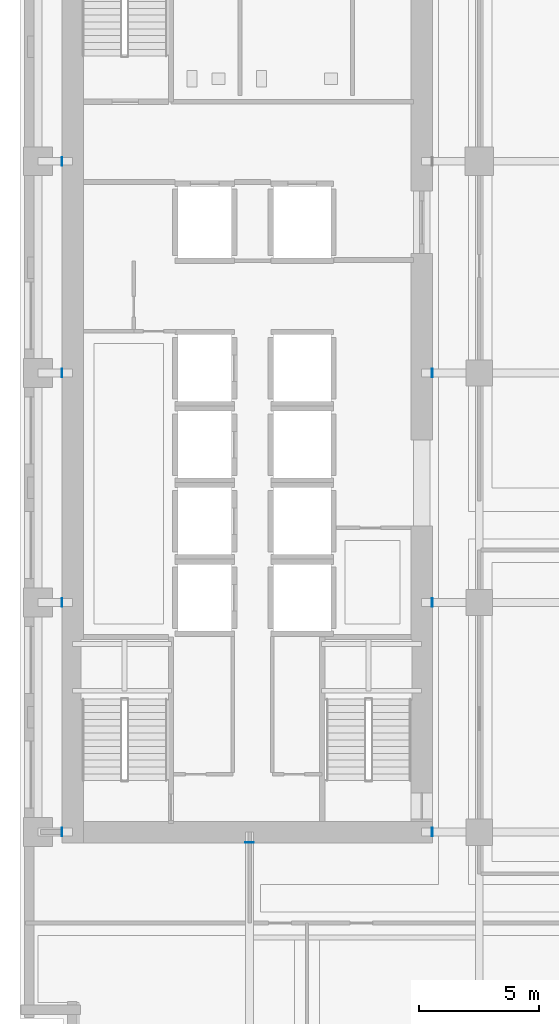
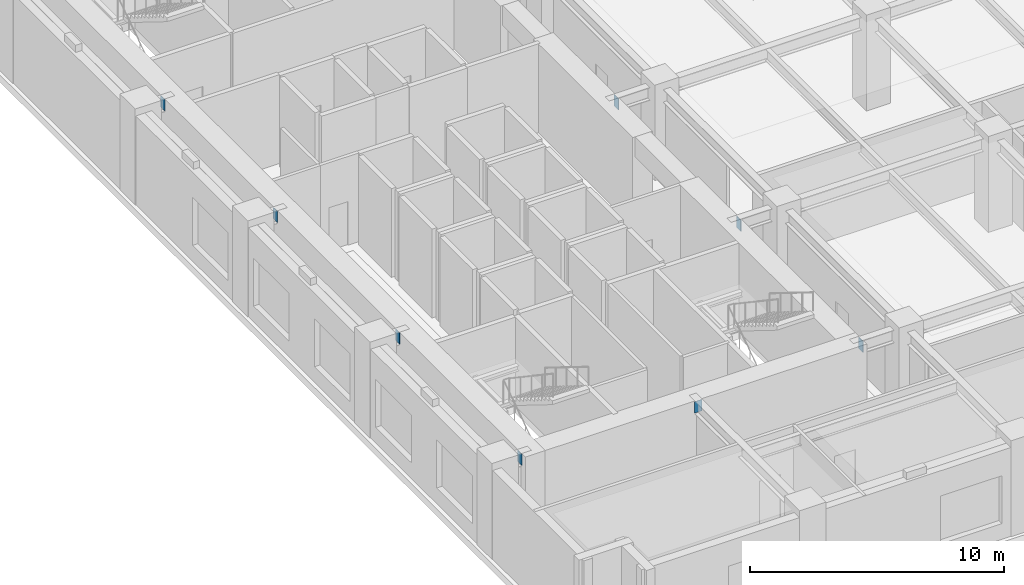
# One storey, part 14 of 24: 8 discrete accessories.
"""IFC4 building model written with IfcOpenShell, lengths in metres."""

from ifc_helpers import new_model, si_unit, direction, frame, origin, origin_2d, place, context, subcontext, project, spatial, rectangle, extrude, material, layer, layer_set, type_object, element, save


model = new_model("IFC4")

# Units and contexts
model_context = context("Model", 3, precision=1e-05, world=origin(), true_north=direction((0.0, 1.0)))
body_context = subcontext(model_context, "Body", "Model", "MODEL_VIEW")
ifc_project = project(units=[si_unit("LENGTHUNIT", "METRE"), si_unit("AREAUNIT", "SQUARE_METRE"), si_unit("VOLUMEUNIT", "CUBIC_METRE"), si_unit("PLANEANGLEUNIT", "RADIAN"), si_unit("MASSUNIT", "GRAM", prefix="KILO")], contexts=[model_context])

# Site, building, storey
site_placement = place(None, origin())
site = spatial("IfcSite", under=ifc_project, at=site_placement, CompositionType="ELEMENT")
building_placement = place(site_placement, origin())
building = spatial("IfcBuilding", under=site, at=building_placement, Name="Norrvale University Quadrangle", CompositionType="ELEMENT")
storey_placement = place(building_placement, frame((0.0, 0.0, 10.39990234375)))
storey = spatial("IfcBuildingStorey", under=building, at=storey_placement, Name="L02", CompositionType="ELEMENT", Elevation=10.39990234375)

# Discrete accessories
ifc_material = material(Name="Steel 350W", Category="steel")
ifc_layer = layer(ifc_material, 0.02490234375, Name="Steel 350W")
ifc_layer_set = layer_set([ifc_layer], Name="Steel 350W")
discrete_accessory_type = type_object("IfcDiscreteAccessoryType", Name="Accessory Cast In Embed Plate", PredefinedType="ANCHORPLATE", material=ifc_layer_set)
for number, where, z_axis, x_axis, name in (
    (1, (1.762451171875, 9.60009765625, 3.68017578125), (0.0, 0.0, 1.0), (1.0, 0.0, 0.0), "Core Wall Cast-in Embed Plate L02-GCW069"),
    (2, (17.237548828125, 9.60009765625, 3.68017578125), (0.0, 0.0, 1.0), (1.0, 0.0, 0.0), "Core Wall Cast-in Embed Plate L02-GCE070"),
    (3, (1.762451171875, 19.199951171875, 3.68017578125), (0.0, 0.0, 1.0), (1.0, 0.0, 0.0), "Core Wall Cast-in Embed Plate L02-GCW071"),
    (4, (17.237548828125, 19.199951171875, 3.68017578125), (0.0, 0.0, 1.0), (1.0, 0.0, 0.0), "Core Wall Cast-in Embed Plate L02-GCE072"),
    (5, (1.762451171875, 28.800048828125, 3.68017578125), (0.0, 0.0, 1.0), (1.0, 0.0, 0.0), "Core Wall Cast-in Embed Plate L02-GCW073"),
    (6, (17.237548828125, 28.800048828125, 3.68017578125), (0.0, 0.0, 1.0), (1.0, 0.0, 0.0), "Core Wall Cast-in Embed Plate L02-GCE074"),
    (7, (1.762451171875, 37.64990234375, 3.68017578125), (0.0, 0.0, 1.0), (1.0, 0.0, 0.0), "Core Wall Cast-in Embed Plate L02-GCW075"),
):
    element("IfcDiscreteAccessory", number, at=place(storey_placement, frame(where, z_axis=z_axis, x_axis=x_axis)), inside=storey, type_object=discrete_accessory_type, Name=name, PredefinedType="ANCHORPLATE", context=body_context, shape_type="SweptSolid", body=[
        extrude(rectangle(XDim=0.02490234375, YDim=0.35009765625, at=origin_2d()), origin(), (0.0, 0.0, 1.0), 0.5400390625),
    ])
discrete_accessory_placement = place(storey_placement, frame((9.60009765625, 9.16259765625, 3.68017578125), z_axis=(0.0, 0.0, 1.0), x_axis=(1.0, 0.0, 0.0)))
element("IfcDiscreteAccessory", 8, at=discrete_accessory_placement, inside=storey, type_object=discrete_accessory_type, Name="Core Wall Cast-in Embed Plate L02-GCS102", PredefinedType="ANCHORPLATE", context=body_context, shape_type="SweptSolid", body=[
    extrude(rectangle(XDim=0.35009765625, YDim=0.02490234375, at=origin_2d()), origin(), (0.0, 0.0, 1.0), 0.5400390625),
])

save(model, "model.ifc")
